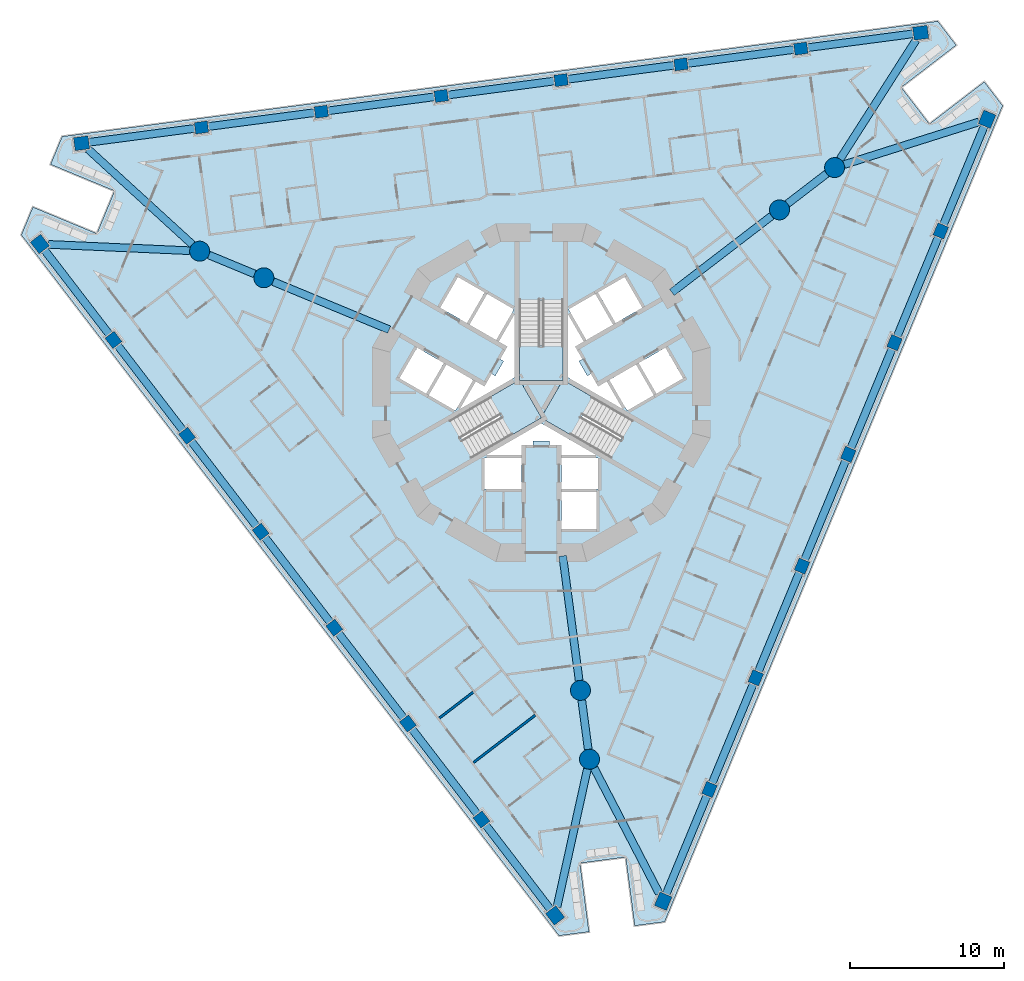
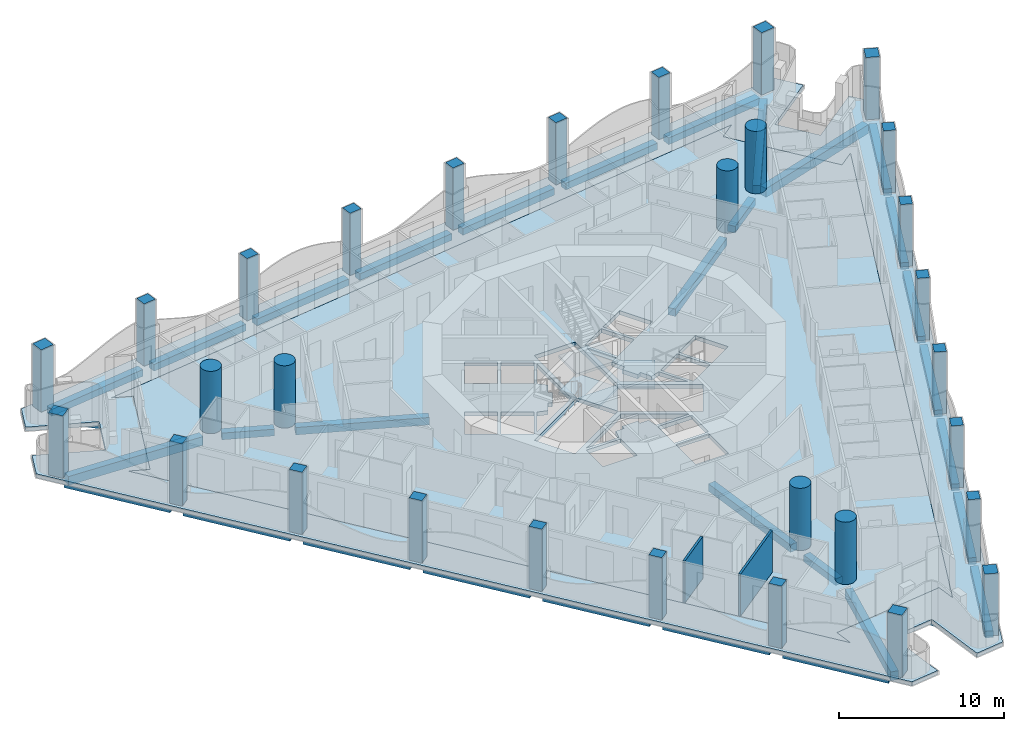
# One storey, part 1 of 19: 33 beams, 30 columns, 6 slabs, 2 walls, 3 elements without a shape of their own.
"""IFC4 building model written with IfcOpenShell, lengths in metres."""

from ifc_helpers import new_model, si_unit, direction, frame, frame_2d, origin, origin_2d, place, context, subcontext, project, spatial, polyline, rectangle, circle, outline, extrude, material, layer, layer_set, material_profile, profile_set, type_object, element, aggregate, save


model = new_model("IFC4")

# Units and contexts
model_context = context("Model", 3, precision=1e-05, world=origin(), true_north=direction((0.0, 1.0)))
body_context = subcontext(model_context, "Body", "Model", "MODEL_VIEW")
ifc_project = project(units=[si_unit("LENGTHUNIT", "METRE"), si_unit("AREAUNIT", "SQUARE_METRE"), si_unit("VOLUMEUNIT", "CUBIC_METRE"), si_unit("PLANEANGLEUNIT", "RADIAN"), si_unit("MASSUNIT", "GRAM", prefix="KILO")], contexts=[model_context])

# Site, building, storey
site_placement = place(None, origin())
site = spatial("IfcSite", under=ifc_project, at=site_placement, CompositionType="ELEMENT")
building_placement = place(site_placement, origin())
building = spatial("IfcBuilding", under=site, at=building_placement, Name="Trine Commons Tower", CompositionType="ELEMENT")
storey_placement = place(building_placement, frame((0.0, 0.0, 79.199951171875)))
storey = spatial("IfcBuildingStorey", under=building, at=storey_placement, Name="L19", CompositionType="ELEMENT", Elevation=79.199951171875)

# Columns
ifc_material_1 = material(Name="Concrete C80/95", Category="concrete")
ifc_material_profile_1 = material_profile(ifc_material_1, rectangle(XDim=0.85009765625, YDim=0.75, at=origin_2d()), Name="RC 850x750")
ifc_profile_set_1 = profile_set([ifc_material_profile_1], Name="Concrete C80/95")
column_type_1 = type_object("IfcColumnType", Name="RC column 850x750, C80/95", PredefinedType="COLUMN", material=ifc_profile_set_1)
for number, where, z_axis, x_axis, name in (
    (1, (76.1142578125, 34.74853515625, 0.0), (0.0, 0.0, 1.0), (-0.608761429009, 0.793353340291, 0.0), "Column PC2-02 L19"),
    (2, (71.3291015625, 40.984619140625, 0.0), (0.0, 0.0, 1.0), (-0.608761429009, 0.793353340291, 0.0), "Column PC2-03 L19"),
    (3, (66.5439453125, 47.220703125, 0.0), (0.0, 0.0, 1.0), (-0.608761429009, 0.793353340291, 0.0), "Column PC2-04 L19"),
    (4, (61.7587890625, 53.45703125, 0.0), (0.0, 0.0, 1.0), (-0.608761429009, 0.793353340291, 0.0), "Column PC2-05 L19"),
    (5, (56.9736328125, 59.693115234375, 0.0), (0.0, 0.0, 1.0), (-0.608761429009, 0.793353340291, 0.0), "Column PC2-06 L19"),
    (6, (52.1884765625, 65.92919921875, 0.0), (0.0, 0.0, 1.0), (-0.608761429009, 0.793353340291, 0.0), "Column PC2-07 L19"),
    (7, (57.9091796875, 79.740966796875, 0.0), (0.0, 0.0, 1.0), (0.991444861374, 0.13052619222, 0.0), "Column PC2-10 L19"),
    (8, (65.70263671875, 80.766845703125, 0.0), (0.0, 0.0, 1.0), (0.991444861374, 0.13052619222, 0.0), "Column PC2-11 L19"),
    (9, (73.495849609375, 81.79296875, 0.0), (0.0, 0.0, 1.0), (0.991444861374, 0.13052619222, 0.0), "Column PC2-12 L19"),
    (10, (81.2890625, 82.81884765625, 0.0), (0.0, 0.0, 1.0), (0.991444861374, 0.13052619222, 0.0), "Column PC2-13 L19"),
    (11, (89.08251953125, 83.844970703125, 0.0), (0.0, 0.0, 1.0), (0.991444861374, 0.13052619222, 0.0), "Column PC2-14 L19"),
    (12, (96.875732421875, 84.870849609375, 0.0), (0.0, 0.0, 1.0), (0.991444861374, 0.13052619222, 0.0), "Column PC2-15 L19"),
    (13, (105.976318359375, 73.010498046875, 0.0), (0.0, 0.0, 1.0), (0.382683432365, 0.923879532511, 0.0), "Column PC2-18 L19"),
    (14, (102.96826171875, 65.74853515625, 0.0), (0.0, 0.0, 1.0), (0.382683432365, 0.923879532511, 0.0), "Column PC2-19 L19"),
    (15, (99.960205078125, 58.486328125, 0.0), (0.0, 0.0, 1.0), (0.382683432365, 0.923879532511, 0.0), "Column PC2-20 L19"),
    (16, (96.9521484375, 51.22412109375, 0.0), (0.0, 0.0, 1.0), (0.382683432365, 0.923879532511, 0.0), "Column PC2-21 L19"),
    (17, (93.944091796875, 43.9619140625, 0.0), (0.0, 0.0, 1.0), (0.382683432365, 0.923879532511, 0.0), "Column PC2-22 L19"),
    (18, (90.935791015625, 36.69970703125, 0.0), (0.0, 0.0, 1.0), (0.382683432365, 0.923879532511, 0.0), "Column PC2-23 L19"),
):
    element("IfcColumn", number, at=place(storey_placement, frame(where, z_axis=z_axis, x_axis=x_axis)), inside=storey, type_object=column_type_1, Name=name, PredefinedType="COLUMN", context=body_context, shape_type="SweptSolid", body=[
        extrude(rectangle(XDim=0.85009765625, YDim=0.75, at=origin_2d()), origin(), (0.0, 0.0, 1.0), 4.609619140625),
    ])
ifc_material_profile_2 = material_profile(ifc_material_1, rectangle(XDim=0.949951171875, YDim=0.85009765625, at=origin_2d()), Name="RC 950x850")
ifc_profile_set_2 = profile_set([ifc_material_profile_2], Name="Concrete C80/95")
column_type_2 = type_object("IfcColumnType", Name="RC column 950x850, C80/95", PredefinedType="COLUMN", material=ifc_profile_set_2)
for number, where, z_axis, x_axis, name in (
    (19, (80.8994140625, 28.51220703125, 0.0), (0.0, 0.0, 1.0), (-0.608761429009, 0.793353340291, 0.0), "Column PC2-01 L19"),
    (20, (47.4033203125, 72.16552734375, 0.0), (0.0, 0.0, 1.0), (-0.608761429009, 0.793353340291, 0.0), "Column PC2-08 L19"),
    (21, (50.1162109375, 78.71484375, 0.0), (0.0, 0.0, 1.0), (0.991444861374, 0.13052619222, 0.0), "Column PC2-09 L19"),
    (22, (104.6689453125, 85.89697265625, 0.0), (0.0, 0.0, 1.0), (0.991444861374, 0.13052619222, 0.0), "Column PC2-16 L19"),
    (23, (108.984375, 80.272705078125, 0.0), (0.0, 0.0, 1.0), (0.382683432365, 0.923879532511, 0.0), "Column PC2-17 L19"),
    (24, (87.927734375, 29.4375, 0.0), (0.0, 0.0, 1.0), (0.382683432365, 0.923879532511, 0.0), "Column PC2-24 L19"),
):
    element("IfcColumn", number, at=place(storey_placement, frame(where, z_axis=z_axis, x_axis=x_axis)), inside=storey, type_object=column_type_2, Name=name, PredefinedType="COLUMN", context=body_context, shape_type="SweptSolid", body=[
        extrude(rectangle(XDim=0.949951171875, YDim=0.85009765625, at=origin_2d()), origin(), (0.0, 0.0, 1.0), 4.609619140625),
    ])
ifc_material_profile_3 = material_profile(ifc_material_1, circle(Radius=0.64990234375, at=origin_2d()), Name="RC round 1300")
ifc_profile_set_3 = profile_set([ifc_material_profile_3], Name="Concrete C80/95")
column_type_3 = type_object("IfcColumnType", Name="RC round column 1300 mm, C80/95", PredefinedType="COLUMN", material=ifc_profile_set_3)
for number, where, z_axis, x_axis, name in (
    (25, (82.548095703125, 43.14453125, 0.0), (0.0, 0.0, 1.0), (1.0, 0.0, 0.0), "Column WC2-1 L19"),
    (26, (83.1376953125, 38.6669921875, 0.0), (0.0, 0.0, 1.0), (1.0, 0.0, 0.0), "Column WC2-2 L19"),
    (27, (95.48828125, 74.384521484375, 0.0), (0.0, 0.0, 1.0), (1.0, 0.0, 0.0), "Column WC2-3 L19"),
    (28, (99.071044921875, 77.1337890625, 0.0), (0.0, 0.0, 1.0), (1.0, 0.0, 0.0), "Column WC2-4 L19"),
    (29, (61.963623046875, 69.970947265625, 0.0), (0.0, 0.0, 1.0), (1.0, 0.0, 0.0), "Column WC2-5 L19"),
    (30, (57.791259765625, 71.69921875, 0.0), (0.0, 0.0, 1.0), (1.0, 0.0, 0.0), "Column WC2-6 L19"),
):
    element("IfcColumn", number, at=place(storey_placement, frame(where, z_axis=z_axis, x_axis=x_axis)), inside=storey, type_object=column_type_3, Name=name, PredefinedType="COLUMN", context=body_context, shape_type="SweptSolid", body=[
        extrude(circle(Radius=0.64990234375, at=origin_2d()), origin(), (0.0, 0.0, 1.0), 4.609619140625),
    ])

# Beams
ifc_material_2 = material(Name="Concrete C50/60", Category="concrete")
ifc_material_profile_4 = material_profile(ifc_material_2, rectangle(XDim=0.5, YDim=0.5, at=origin_2d()), Name="RC 500x500")
ifc_profile_set_4 = profile_set([ifc_material_profile_4], Name="Concrete C50/60")
beam_type_1 = type_object("IfcBeamType", Name="RC beam 500x500, C50/60", PredefinedType="BEAM", material=ifc_profile_set_4)
beam_1_placement = place(storey_placement, frame((80.6103515625, 28.88916015625, -0.550048828125), z_axis=(-0.608757694977, 0.793356205501, 0.0), x_axis=(-0.793356205501, -0.608757694977, 0.0)))
element("IfcBeam", 31, at=beam_1_placement, inside=storey, type_object=beam_type_1, Name="Beam EB2-01 L19", PredefinedType="BEAM", context=body_context, shape_type="SweptSolid", body=[
    extrude(rectangle(XDim=0.5, YDim=0.5, at=origin_2d()), origin(), (0.0, 0.0, 1.0), 6.960693359375),
])
beam_2_placement = place(storey_placement, frame((75.855712890625, 35.085693359375, -0.550048828125), z_axis=(-0.608772912064, 0.793344528901, 0.0), x_axis=(-0.793344528901, -0.608772912064, 0.0)))
element("IfcBeam", 32, at=beam_2_placement, inside=storey, type_object=beam_type_1, Name="Beam EB2-02 L19", PredefinedType="BEAM", context=body_context, shape_type="SweptSolid", body=[
    extrude(rectangle(XDim=0.5, YDim=0.5, at=origin_2d()), origin(), (0.0, 0.0, 1.0), 7.010498046875),
])
beam_3_placement = place(storey_placement, frame((71.0703125, 41.322021484375, -0.550048828125), z_axis=(-0.608767812441, 0.793348442071, 0.0), x_axis=(-0.793348442071, -0.608767812441, 0.0)))
element("IfcBeam", 33, at=beam_3_placement, inside=storey, type_object=beam_type_1, Name="Beam EB2-03 L19", PredefinedType="BEAM", context=body_context, shape_type="SweptSolid", body=[
    extrude(rectangle(XDim=0.5, YDim=0.5, at=origin_2d()), origin(), (0.0, 0.0, 1.0), 7.01025390625),
])
for number, where, z_axis, x_axis, name in (
    (34, (66.285400390625, 47.55810546875, -0.550048828125), (-0.608772912064, 0.793344528901, 0.0), (-0.793344528901, -0.608772912064, 0.0), "Beam EB2-04 L19"),
    (35, (61.5, 53.794189453125, -0.550048828125), (-0.608750992772, 0.793361348188, 0.0), (-0.793361348188, -0.608750992772, 0.0), "Beam EB2-05 L19"),
):
    element("IfcBeam", number, at=place(storey_placement, frame(where, z_axis=z_axis, x_axis=x_axis)), inside=storey, type_object=beam_type_1, Name=name, PredefinedType="BEAM", context=body_context, shape_type="SweptSolid", body=[
        extrude(rectangle(XDim=0.5, YDim=0.5, at=origin_2d()), origin(), (0.0, 0.0, 1.0), 7.010498046875),
    ])
beam_4_placement = place(storey_placement, frame((56.71484375, 60.030517578125, -0.550048828125), z_axis=(-0.608789731625, 0.793331622128, 0.0), x_axis=(-0.793331622128, -0.608789731625, 0.0)))
element("IfcBeam", 36, at=beam_4_placement, inside=storey, type_object=beam_type_1, Name="Beam EB2-06 L19", PredefinedType="BEAM", context=body_context, shape_type="SweptSolid", body=[
    extrude(rectangle(XDim=0.5, YDim=0.5, at=origin_2d()), origin(), (0.0, 0.0, 1.0), 7.01025390625),
])
beam_5_placement = place(storey_placement, frame((51.9296875, 66.2666015625, -0.550048828125), z_axis=(-0.608757694977, 0.793356205501, 0.0), x_axis=(-0.793356205501, -0.608757694977, 0.0)))
element("IfcBeam", 37, at=beam_5_placement, inside=storey, type_object=beam_type_1, Name="Beam EB2-07 L19", PredefinedType="BEAM", context=body_context, shape_type="SweptSolid", body=[
    extrude(rectangle(XDim=0.5, YDim=0.5, at=origin_2d()), origin(), (0.0, 0.0, 1.0), 6.960693359375),
])
beam_6_placement = place(storey_placement, frame((50.5869140625, 78.77685546875, -0.550048828125), z_axis=(0.991446175382, 0.130516210946, 0.0), x_axis=(-0.130516210946, 0.991446175382, 0.0)))
element("IfcBeam", 38, at=beam_6_placement, inside=storey, type_object=beam_type_1, Name="Beam EB2-08 L19", PredefinedType="BEAM", context=body_context, shape_type="SweptSolid", body=[
    extrude(rectangle(XDim=0.5, YDim=0.5, at=origin_2d()), origin(), (0.0, 0.0, 1.0), 6.96044921875),
])
for number, where, z_axis, x_axis, name in (
    (39, (58.330810546875, 79.79638671875, -0.550048828125), (0.991444928767, 0.13052568032, 0.0), (-0.13052568032, 0.991444928767, 0.0), "Beam EB2-09 L19"),
    (40, (66.1240234375, 80.822509765625, -0.550048828125), (0.99144943492, 0.130491447984, 0.0), (-0.130491447984, 0.99144943492, 0.0), "Beam EB2-10 L19"),
    (41, (73.917236328125, 81.848388671875, -0.550048828125), (0.991444928767, 0.13052568032, 0.0), (-0.13052568032, 0.991444928767, 0.0), "Beam EB2-11 L19"),
    (42, (81.71044921875, 82.87451171875, -0.550048828125), (0.99144943492, 0.130491447984, 0.0), (-0.130491447984, 0.99144943492, 0.0), "Beam EB2-12 L19"),
    (43, (89.50390625, 83.900390625, -0.550048828125), (0.991444928767, 0.13052568032, 0.0), (-0.13052568032, 0.991444928767, 0.0), "Beam EB2-13 L19"),
):
    element("IfcBeam", number, at=place(storey_placement, frame(where, z_axis=z_axis, x_axis=x_axis)), inside=storey, type_object=beam_type_1, Name=name, PredefinedType="BEAM", context=body_context, shape_type="SweptSolid", body=[
        extrude(rectangle(XDim=0.5, YDim=0.5, at=origin_2d()), origin(), (0.0, 0.0, 1.0), 7.010498046875),
    ])
for number, where, z_axis, x_axis, name in (
    (44, (97.297119140625, 84.926513671875, -0.550048828125), (0.991446175382, 0.130516210946, 0.0), (-0.130516210946, 0.991446175382, 0.0), "Beam EB2-14 L19"),
    (45, (108.802490234375, 79.833984375, -0.550048828125), (-0.382671898974, -0.923884309714, 0.0), (0.923884309714, -0.382671898974, 0.0), "Beam EB2-15 L19"),
):
    element("IfcBeam", number, at=place(storey_placement, frame(where, z_axis=z_axis, x_axis=x_axis)), inside=storey, type_object=beam_type_1, Name=name, PredefinedType="BEAM", context=body_context, shape_type="SweptSolid", body=[
        extrude(rectangle(XDim=0.5, YDim=0.5, at=origin_2d()), origin(), (0.0, 0.0, 1.0), 6.96044921875),
    ])
beam_7_placement = place(storey_placement, frame((105.813720703125, 72.617919921875, -0.550048828125), z_axis=(-0.382693194178, -0.923875488976, 0.0), x_axis=(0.923875488976, -0.382693194178, 0.0)))
element("IfcBeam", 46, at=beam_7_placement, inside=storey, type_object=beam_type_1, Name="Beam EB2-16 L19", PredefinedType="BEAM", context=body_context, shape_type="SweptSolid", body=[
    extrude(rectangle(XDim=0.5, YDim=0.5, at=origin_2d()), origin(), (0.0, 0.0, 1.0), 7.010498046875),
])
for number, where, z_axis, x_axis, name in (
    (47, (102.8056640625, 65.35595703125, -0.550048828125), (-0.382680881742, -0.92388058901, 0.0), (0.92388058901, -0.382680881742, 0.0), "Beam EB2-17 L19"),
    (48, (99.797607421875, 58.09375, -0.550048828125), (-0.382680881742, -0.92388058901, 0.0), (0.92388058901, -0.382680881742, 0.0), "Beam EB2-18 L19"),
    (49, (96.78955078125, 50.83154296875, -0.550048828125), (-0.382680881742, -0.92388058901, 0.0), (0.92388058901, -0.382680881742, 0.0), "Beam EB2-19 L19"),
    (50, (93.781494140625, 43.5693359375, -0.550048828125), (-0.382710605355, -0.923868276622, 0.0), (0.923868276622, -0.382710605355, 0.0), "Beam EB2-20 L19"),
):
    element("IfcBeam", number, at=place(storey_placement, frame(where, z_axis=z_axis, x_axis=x_axis)), inside=storey, type_object=beam_type_1, Name=name, PredefinedType="BEAM", context=body_context, shape_type="SweptSolid", body=[
        extrude(rectangle(XDim=0.5, YDim=0.5, at=origin_2d()), origin(), (0.0, 0.0, 1.0), 7.0107421875),
    ])
beam_8_placement = place(storey_placement, frame((90.773193359375, 36.30712890625, -0.550048828125), z_axis=(-0.382671898974, -0.923884309714, 0.0), x_axis=(0.923884309714, -0.382671898974, 0.0)))
element("IfcBeam", 51, at=beam_8_placement, inside=storey, type_object=beam_type_1, Name="Beam EB2-21 L19", PredefinedType="BEAM", context=body_context, shape_type="SweptSolid", body=[
    extrude(rectangle(XDim=0.5, YDim=0.5, at=origin_2d()), origin(), (0.0, 0.0, 1.0), 6.96044921875),
])
beam_9_placement = place(storey_placement, frame((82.633056640625, 42.500732421875, -0.550048828125), z_axis=(0.130513398023, -0.991446545678, 0.0), x_axis=(0.991446545678, 0.130513398023, 0.0)))
element("IfcBeam", 52, at=beam_9_placement, inside=storey, type_object=beam_type_1, Name="Beam RB2-02 L19", PredefinedType="BEAM", context=body_context, shape_type="SweptSolid", body=[
    extrude(rectangle(XDim=0.5, YDim=0.5, at=origin_2d()), origin(), (0.0, 0.0, 1.0), 3.217529296875),
])
beam_10_placement = place(storey_placement, frame((96.00341796875, 74.77978515625, -0.550048828125), z_axis=(0.793368133848, 0.608742149185, 0.0), x_axis=(-0.608742149185, 0.793368133848, 0.0)))
element("IfcBeam", 53, at=beam_10_placement, inside=storey, type_object=beam_type_1, Name="Beam RB2-04 L19", PredefinedType="BEAM", context=body_context, shape_type="SweptSolid", body=[
    extrude(rectangle(XDim=0.5, YDim=0.5, at=origin_2d()), origin(), (0.0, 0.0, 1.0), 3.21728515625),
])
beam_11_placement = place(storey_placement, frame((61.363037109375, 70.2197265625, -0.550048828125), z_axis=(-0.923878970326, 0.382684789598, 0.0), x_axis=(-0.382684789598, -0.923878970326, 0.0)))
element("IfcBeam", 54, at=beam_11_placement, inside=storey, type_object=beam_type_1, Name="Beam RB2-06 L19", PredefinedType="BEAM", context=body_context, shape_type="SweptSolid", body=[
    extrude(rectangle(XDim=0.5, YDim=0.5, at=origin_2d()), origin(), (0.0, 0.0, 1.0), 3.216064453125),
])
ifc_material_profile_5 = material_profile(ifc_material_2, rectangle(XDim=0.5, YDim=0.550048828125, at=origin_2d()), Name="RC 500x550")
ifc_profile_set_5 = profile_set([ifc_material_profile_5], Name="Concrete C50/60")
beam_type_2 = type_object("IfcBeamType", Name="RC beam 500x550, C50/60", PredefinedType="BEAM", material=ifc_profile_set_5)
for number, where, z_axis, x_axis, name in (
    (55, (81.3974609375, 51.885009765625, -0.574951171875), (0.13051869661, -0.991445848161, 0.0), (0.991445848161, 0.13051869661, 0.0), "Beam RB2-01 L19"),
    (56, (88.494140625, 69.017578125, -0.574951171875), (0.79334357443, 0.608774155916, 0.0), (-0.608774155916, 0.79334357443, 0.0), "Beam RB2-03 L19"),
):
    element("IfcBeam", number, at=place(storey_placement, frame(where, z_axis=z_axis, x_axis=x_axis)), inside=storey, type_object=beam_type_2, Name=name, PredefinedType="BEAM", context=body_context, shape_type="SweptSolid", body=[
        extrude(rectangle(XDim=0.5, YDim=0.550048828125, at=origin_2d()), origin(), (0.0, 0.0, 1.0), 8.166748046875),
    ])
beam_12_placement = place(storey_placement, frame((70.1083984375, 66.59716796875, -0.574951171875), z_axis=(-0.923875444746, 0.382693300953, 0.0), x_axis=(-0.382693300953, -0.923875444746, 0.0)))
element("IfcBeam", 57, at=beam_12_placement, inside=storey, type_object=beam_type_2, Name="Beam RB2-05 L19", PredefinedType="BEAM", context=body_context, shape_type="SweptSolid", body=[
    extrude(rectangle(XDim=0.5, YDim=0.550048828125, at=origin_2d()), origin(), (0.0, 0.0, 1.0), 8.165771484375),
])
ifc_material_profile_6 = material_profile(ifc_material_2, rectangle(XDim=0.5, YDim=0.64990234375, at=origin_2d()), Name="RC 500x650")
ifc_profile_set_6 = profile_set([ifc_material_profile_6], Name="Concrete C50/60")
beam_type_3 = type_object("IfcBeamType", Name="RC beam 500x650, C50/60", PredefinedType="BEAM", material=ifc_profile_set_6)
for number, where, z_axis, x_axis, name in (
    (58, (47.9580078125, 72.140625, -0.625), (0.998993680757, -0.044851151696, 0.0), (0.044851151696, 0.998993680757, 0.0), "Beam CB2-01 L19"),
    (59, (50.52587890625, 78.340087890625, -0.625), (0.738114574549, -0.674675384788, 0.0), (0.674675384788, 0.738114574549, 0.0), "Beam CB2-02 L19"),
    (60, (104.369873046875, 85.428955078125, -0.625), (-0.538318035677, -0.842741770927, 0.0), (0.842741770927, -0.538318035677, 0.0), "Beam CB2-03 L19"),
):
    element("IfcBeam", number, at=place(storey_placement, frame(where, z_axis=z_axis, x_axis=x_axis)), inside=storey, type_object=beam_type_3, Name=name, PredefinedType="BEAM", context=body_context, shape_type="SweptSolid", body=[
        extrude(rectangle(XDim=0.5, YDim=0.64990234375, at=origin_2d()), origin(), (0.0, 0.0, 1.0), 9.19384765625),
    ])
beam_13_placement = place(storey_placement, frame((108.454833984375, 80.10498046875, -0.625), z_axis=(-0.953349995529, -0.301867166193, 0.0), x_axis=(0.301867166193, -0.953349995529, 0.0)))
element("IfcBeam", 61, at=beam_13_placement, inside=storey, type_object=beam_type_3, Name="Beam CB2-04 L19", PredefinedType="BEAM", context=body_context, shape_type="SweptSolid", body=[
    extrude(rectangle(XDim=0.5, YDim=0.64990234375, at=origin_2d()), origin(), (0.0, 0.0, 1.0), 9.193359375),
])
for number, where, z_axis, x_axis, name in (
    (62, (87.672119140625, 29.930419921875, -0.625), (-0.460652760363, 0.887580438253, 0.0), (-0.887580438253, -0.460652760363, 0.0), "Beam CB2-05 L19"),
    (63, (81.01904296875, 29.0546875, -0.625), (0.215234621965, 0.976562367444, 0.0), (-0.976562367444, 0.215234621965, 0.0), "Beam CB2-06 L19"),
):
    element("IfcBeam", number, at=place(storey_placement, frame(where, z_axis=z_axis, x_axis=x_axis)), inside=storey, type_object=beam_type_3, Name=name, PredefinedType="BEAM", context=body_context, shape_type="SweptSolid", body=[
        extrude(rectangle(XDim=0.5, YDim=0.64990234375, at=origin_2d()), origin(), (0.0, 0.0, 1.0), 9.193603515625),
    ])

# Slabs
ifc_layer_1 = layer(ifc_material_2, 0.300048828125)
ifc_layer_set_1 = layer_set([ifc_layer_1], Name="Concrete C50/60")
slab_type_1 = type_object("IfcSlabType", Name="Loggia slab 300 mm, C50/60", PredefinedType="FLOOR", material=ifc_layer_set_1)
slab_1_placement = place(storey_placement, frame((0.0, 0.0, -0.300048828125)))
element("IfcSlab", 64, at=slab_1_placement, inside=storey, type_object=slab_type_1, Name="Loggia slab L19", PredefinedType="FLOOR", context=body_context, shape_type="SweptSolid", body=[
    extrude(outline(polyline([(88.02294921875, 28.099365234375), (109.998046875, 81.15185546875), (108.80224609375, 82.710205078125), (105.232177734375, 79.970703125), (103.406005859375, 82.3505859375), (106.97607421875, 85.090087890625), (105.780517578125, 86.6484375), (48.847900390625, 79.153076171875), (48.096435546875, 77.33837890625), (52.25390625, 75.616455078125), (51.105712890625, 72.8447265625), (46.948486328125, 74.56689453125), (46.19677734375, 72.752197265625), (81.154052734375, 27.195068359375), (83.101318359375, 27.451416015625), (82.513916015625, 31.912841796875), (85.48828125, 32.304443359375), (86.07568359375, 27.843017578125), (88.02294921875, 28.099365234375)]), holes=[polyline([(79.99658203125, 32.6455078125), (79.8212890625, 33.97900390625), (87.554443359375, 34.997314453125), (87.72998046875, 33.663818359375), (105.856201171875, 77.42431640625), (104.789306640625, 76.605712890625), (100.041015625, 82.793701171875), (101.10791015625, 83.612548828125), (54.14697265625, 77.429931640625), (55.3896484375, 76.915283203125), (52.40478515625, 69.708984375), (51.162109375, 70.2236328125), (79.99658203125, 32.6455078125)])]), origin(), (0.0, 0.0, 1.0), 0.300048828125),
])
ifc_layer_2 = layer(ifc_material_2, 0.300048828125)
ifc_layer_set_2 = layer_set([ifc_layer_2], Name="Concrete C50/60")
slab_type_2 = type_object("IfcSlabType", Name="PT flat slab 300 mm, C50/60", PredefinedType="FLOOR", material=ifc_layer_set_2)
slab_2_placement = place(storey_placement, frame((0.0, 0.0, -0.300048828125)))
element("IfcSlab", 65, at=slab_2_placement, inside=storey, type_object=slab_type_2, Name="Floor slab L19", PredefinedType="FLOOR", context=body_context, shape_type="SweptSolid", body=[
    extrude(outline(polyline([(51.162109375, 70.2236328125), (79.99658203125, 32.6455078125), (79.8212890625, 33.97900390625), (87.554443359375, 34.997314453125), (87.72998046875, 33.663818359375), (105.856201171875, 77.42431640625), (104.789306640625, 76.605712890625), (100.041015625, 82.793701171875), (101.10791015625, 83.612548828125), (54.14697265625, 77.429931640625), (55.3896484375, 76.915283203125), (52.40478515625, 69.708984375), (51.162109375, 70.2236328125)]), holes=[polyline([(76.300048828125, 56.25), (78.699951171875, 56.25), (78.699951171875, 58.25), (76.300048828125, 58.25), (76.300048828125, 56.25)]), polyline([(81.14990234375, 59.10009765625), (81.300048828125, 58.449951171875), (83.56494140625, 58.449951171875), (80.0, 60.508056640625), (76.43505859375, 58.449951171875), (78.699951171875, 58.449951171875), (78.85009765625, 59.10009765625), (79.449951171875, 59.10009765625), (79.449951171875, 59.360107421875), (80.550048828125, 59.360107421875), (80.550048828125, 59.10009765625), (81.14990234375, 59.10009765625)]), polyline([(80.0, 60.8544921875), (84.4755859375, 58.2705078125), (85.900390625, 60.73876953125), (81.425048828125, 63.32275390625), (81.425048828125, 68.490478515625), (78.574951171875, 68.490478515625), (78.574951171875, 63.32275390625), (74.099609375, 60.73876953125), (75.5244140625, 58.2705078125), (80.0, 60.8544921875)]), polyline([(73.83740234375, 64.325927734375), (72.687255859375, 62.333984375), (74.41943359375, 61.333984375), (75.5693359375, 63.325927734375), (73.83740234375, 64.325927734375)]), polyline([(71.93212890625, 65.426025390625), (70.781982421875, 63.43408203125), (72.51416015625, 62.43408203125), (73.6640625, 64.426025390625), (71.93212890625, 65.426025390625)]), polyline([(76.781005859375, 63.722900390625), (76.381103515625, 63.031005859375), (75.742919921875, 63.22607421875), (74.7099609375, 61.43798828125), (78.27490234375, 63.49609375), (78.27490234375, 67.612060546875), (77.242919921875, 65.823974609375), (77.73095703125, 65.368896484375), (77.3310546875, 64.676025390625), (77.555908203125, 64.5458984375), (77.006103515625, 63.593994140625), (76.781005859375, 63.722900390625)]), polyline([(76.4873046875, 68.916015625), (75.33740234375, 66.924072265625), (77.0693359375, 65.924072265625), (78.219482421875, 67.916015625), (76.4873046875, 68.916015625)]), polyline([(74.58203125, 70.015869140625), (73.43212890625, 68.02392578125), (75.1640625, 67.02392578125), (76.314208984375, 69.015869140625), (74.58203125, 70.015869140625)]), polyline([(81.300048828125, 53.64990234375), (83.60009765625, 53.64990234375), (83.60009765625, 56.050048828125), (81.300048828125, 56.050048828125), (81.300048828125, 53.64990234375)]), polyline([(81.300048828125, 56.25), (83.699951171875, 56.25), (83.699951171875, 58.25), (81.300048828125, 58.25), (81.300048828125, 56.25)]), polyline([(87.312744140625, 62.333984375), (86.16259765625, 64.325927734375), (84.4306640625, 63.325927734375), (85.58056640625, 61.333984375), (87.312744140625, 62.333984375)]), polyline([(89.218017578125, 63.43408203125), (88.06787109375, 65.426025390625), (86.3359375, 64.426025390625), (87.48583984375, 62.43408203125), (89.218017578125, 63.43408203125)]), polyline([(83.243896484375, 63.738037109375), (82.993896484375, 63.593994140625), (82.444091796875, 64.5458984375), (82.72705078125, 64.7099609375), (82.281005859375, 65.549072265625), (82.757080078125, 65.823974609375), (81.72509765625, 67.612060546875), (81.72509765625, 63.49609375), (85.2900390625, 61.43798828125), (84.257080078125, 63.22607421875), (83.618896484375, 63.031005859375), (83.243896484375, 63.738037109375)]), polyline([(82.9306640625, 65.924072265625), (84.66259765625, 66.924072265625), (83.5126953125, 68.916015625), (81.780517578125, 67.916015625), (82.9306640625, 65.924072265625)]), polyline([(84.8359375, 67.02392578125), (86.56787109375, 68.02392578125), (85.41796875, 70.015869140625), (83.685791015625, 69.015869140625), (84.8359375, 67.02392578125)])]), origin(), (0.0, 0.0, 1.0), 0.300048828125),
])
slab_3_placement = place(storey_placement, frame((0.0, 0.0, -0.300048828125)))
element("IfcSlab", 66, at=slab_3_placement, inside=storey, type_object=slab_type_2, Name="Floor slab L19 2", PredefinedType="FLOOR", context=body_context, shape_type="SweptSolid", body=[
    extrude(outline(polyline([(78.61328125, 63.300537109375), (80.0, 60.89892578125), (81.38671875, 63.300537109375), (78.61328125, 63.300537109375)])), origin(), (0.0, 0.0, 1.0), 0.300048828125),
])

# Stair, slab
stair_type = type_object("IfcStairType", Name="Exit stair, dog-leg, 24 risers of 150 mm", PredefinedType="HALF_TURN_STAIR", material=ifc_material_2)
stair_1_placement = place(storey_placement, origin())
stair_1 = element("IfcStair", 67, at=stair_1_placement, inside=storey, type_object=stair_type, Name="L19 Exit stair ST1A", PredefinedType="HALF_TURN_STAIR")
ifc_layer_3 = layer(ifc_material_2, 0.199951171875)
ifc_layer_set_3 = layer_set([ifc_layer_3], Name="Concrete C50/60")
slab_type_3 = type_object("IfcSlabType", Name="Stair landing slab 200 mm, C50/60", PredefinedType="LANDING", material=ifc_layer_set_3)
slab_4_placement = place(storey_placement, frame((0.0, 0.0, 1.60009765625)))
slab_4 = element("IfcSlab", 68, at=slab_4_placement, type_object=slab_type_3, Name="ST1A landing 1", PredefinedType="LANDING", context=body_context, shape_type="SweptSolid", body=[
    extrude(outline(polyline([(78.574951171875, 65.570556640625), (78.574951171875, 63.300537109375), (81.425048828125, 63.300537109375), (81.425048828125, 65.570556640625), (78.574951171875, 65.570556640625)])), origin(), (0.0, 0.0, 1.0), 0.199951171875),
])
aggregate(stair_1, [slab_4])

stair_2_placement = place(storey_placement, origin())
stair_2 = element("IfcStair", 69, at=stair_2_placement, inside=storey, type_object=stair_type, Name="L19 Exit stair ST2A", PredefinedType="HALF_TURN_STAIR")
slab_5_placement = place(storey_placement, frame((0.0, 0.0, 1.60009765625)))
slab_5 = element("IfcSlab", 70, at=slab_5_placement, type_object=slab_type_3, Name="ST2A landing 1", PredefinedType="LANDING", context=body_context, shape_type="SweptSolid", body=[
    extrude(outline(polyline([(78.05322265625, 59.730712890625), (80.019287109375, 60.86572265625), (78.59423828125, 63.333740234375), (76.628173828125, 62.19873046875), (78.05322265625, 59.730712890625)])), origin(), (0.0, 0.0, 1.0), 0.199951171875),
])
aggregate(stair_2, [slab_5])

stair_3_placement = place(storey_placement, origin())
stair_3 = element("IfcStair", 71, at=stair_3_placement, inside=storey, type_object=stair_type, Name="L19 Exit stair ST3A", PredefinedType="HALF_TURN_STAIR")
slab_6_placement = place(storey_placement, frame((0.0, 0.0, 1.60009765625)))
slab_6 = element("IfcSlab", 72, at=slab_6_placement, type_object=slab_type_3, Name="ST3A landing 1", PredefinedType="LANDING", context=body_context, shape_type="SweptSolid", body=[
    extrude(outline(polyline([(83.371826171875, 62.19873046875), (81.40576171875, 63.333740234375), (79.980712890625, 60.86572265625), (81.94677734375, 59.730712890625), (83.371826171875, 62.19873046875)])), origin(), (0.0, 0.0, 1.0), 0.199951171875),
])
aggregate(stair_3, [slab_6])

# Walls
ifc_material_3 = material(Name="Gypsum plasterboard on steel stud", Category="steel")
ifc_layer_4 = layer(ifc_material_3, 0.14990234375)
ifc_layer_set_4 = layer_set([ifc_layer_4], Name="Gypsum plasterboard on steel stud")
wall_type = type_object("IfcWallType", Name="Unit and corridor wall 150 mm, EI 60", PredefinedType="PARTITIONING", material=ifc_layer_set_4)
wall_1_placement = place(storey_placement, frame((73.373779296875, 41.34228515625, 0.0), z_axis=(0.0, 0.0, 1.0), x_axis=(0.793579594979, 0.608466454648, 0.0)))
element("IfcWall", 73, at=wall_1_placement, inside=storey, type_object=wall_type, Name="Partition 059", PredefinedType="PARTITIONING", context=body_context, shape_type="SweptSolid", body=[
    extrude(rectangle(XDim=2.789306640625, YDim=0.14990234375, at=frame_2d((1.39453125, 0.0))), origin(), (0.0, 0.0, 1.0), 3.10009765625),
])
wall_2_placement = place(storey_placement, frame((75.5927734375, 38.451416015625, 0.0), z_axis=(0.0, 0.0, 1.0), x_axis=(0.793302827183, 0.608827253318, 0.0)))
element("IfcWall", 74, at=wall_2_placement, inside=storey, type_object=wall_type, Name="Partition 064", PredefinedType="PARTITIONING", context=body_context, shape_type="SweptSolid", body=[
    extrude(rectangle(XDim=5.0634765625, YDim=0.14990234375, at=frame_2d((2.53173828125, 0.0))), origin(), (0.0, 0.0, 1.0), 3.10009765625),
])

save(model, "model.ifc")
